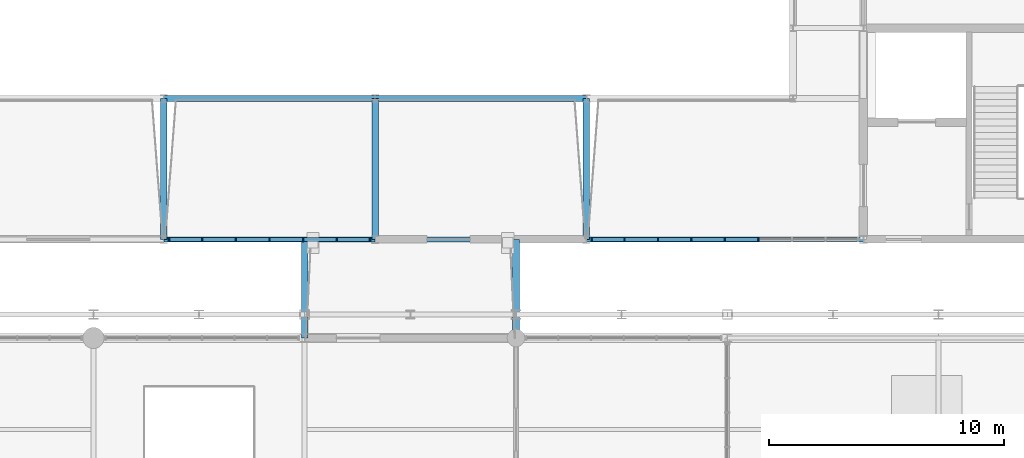
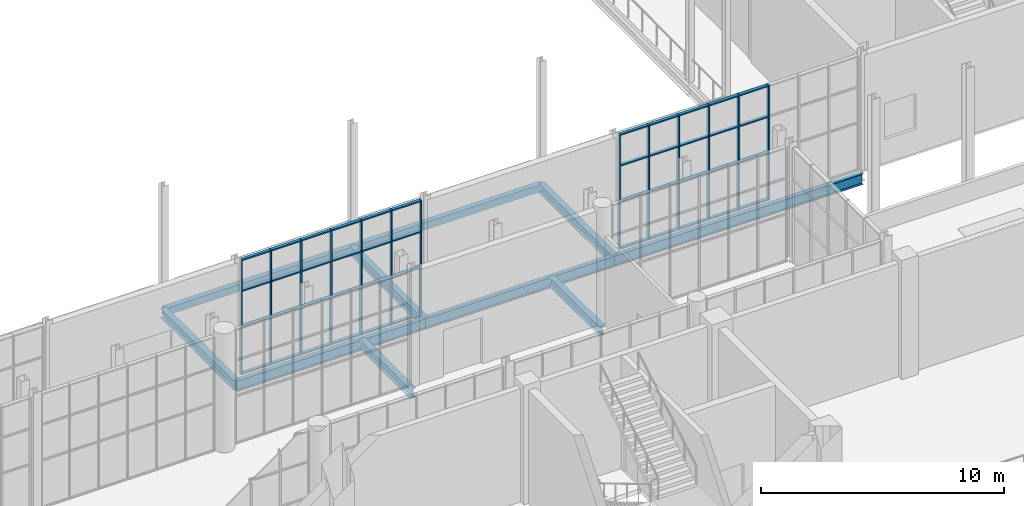
# One storey, part 73 of 159: 57 members, 10 beams, 2 elements without a shape of their own.
"""IFC4 building model written with IfcOpenShell, lengths in metres."""

from ifc_helpers import new_model, si_unit, direction, frame, origin, origin_2d, place, context, subcontext, project, spatial, rectangle, hollow_rectangle, i_section, extrude, material, layer, layer_set, material_profile, profile_set, type_object, element, aggregate, save


model = new_model("IFC4")

# Units and contexts
model_context = context("Model", 3, precision=1e-05, world=origin(), true_north=direction((0.0, 1.0)))
body_context = subcontext(model_context, "Body", "Model", "MODEL_VIEW")
ifc_project = project(units=[si_unit("LENGTHUNIT", "METRE"), si_unit("AREAUNIT", "SQUARE_METRE"), si_unit("VOLUMEUNIT", "CUBIC_METRE"), si_unit("PLANEANGLEUNIT", "RADIAN"), si_unit("MASSUNIT", "GRAM", prefix="KILO")], contexts=[model_context])

# Site, building, storey
site_placement = place(None, origin())
site = spatial("IfcSite", under=ifc_project, at=site_placement, CompositionType="ELEMENT")
building_placement = place(site_placement, origin())
building = spatial("IfcBuilding", under=site, at=building_placement, Name="Cazmaro Siding Exhibition Halls", CompositionType="ELEMENT")
storey_placement = place(building_placement, frame((0.0, 0.0, 6.0)))
storey = spatial("IfcBuildingStorey", under=building, at=storey_placement, Name="L01", CompositionType="ELEMENT", Elevation=6.0)

# Beams
ifc_material_1 = material(Name="Steel ASTM A992 Grade 50", Category="steel")
ifc_material_profile_1 = material_profile(ifc_material_1, i_section(OverallWidth=0.2099609375, OverallDepth=0.535888671875, WebThickness=0.010986328125, FlangeThickness=0.01708984375, at=origin_2d()), Name="W21X68")
ifc_profile_set_1 = profile_set([ifc_material_profile_1], Name="Steel ASTM A992 Grade 50")
beam_type_1 = type_object("IfcBeamType", Name="B-02", PredefinedType="BEAM", material=ifc_profile_set_1)
for number, where, z_axis, x_axis, name in (
    (1, (129.0, 67.199951171875, -0.488037109375), (1.0, 0.0, 0.0), (0.0, 1.0, 0.0), "Beam B-02 BM-0330"),
    (2, (138.0, 67.199951171875, -0.488037109375), (1.0, 0.0, 0.0), (0.0, 1.0, 0.0), "Beam B-02 BM-0332"),
):
    element("IfcBeam", number, at=place(storey_placement, frame(where, z_axis=z_axis, x_axis=x_axis)), inside=storey, type_object=beam_type_1, Name=name, PredefinedType="BEAM", context=body_context, shape_type="SweptSolid", body=[
        extrude(i_section(OverallWidth=0.2099609375, OverallDepth=0.535888671875, WebThickness=0.010986328125, FlangeThickness=0.01708984375, at=origin_2d()), origin(), (0.0, 0.0, 1.0), 9.0),
    ])
beam_placement = place(storey_placement, frame((147.0, 67.199951171875, -0.488037109375), z_axis=(1.0, 0.0, 0.0), x_axis=(0.0, 1.0, 0.0)))
element("IfcBeam", 3, at=beam_placement, inside=storey, type_object=beam_type_1, Name="Beam B-02 BM-0334", PredefinedType="BEAM", context=body_context, shape_type="SweptSolid", body=[
    extrude(i_section(OverallWidth=0.2099609375, OverallDepth=0.535888671875, WebThickness=0.010986328125, FlangeThickness=0.01708984375, at=origin_2d()), origin(), (0.0, 0.0, 1.0), 11.800048828125),
])
ifc_material_2 = material(Name="Steel ASTM A992 Grade 50", Category="steel")
ifc_material_profile_2 = material_profile(ifc_material_2, i_section(OverallWidth=0.279052734375, OverallDepth=0.4619140625, WebThickness=0.010986328125, FlangeThickness=0.01708984375, at=origin_2d()), Name="W18X76")
ifc_profile_set_2 = profile_set([ifc_material_profile_2], Name="Steel ASTM A992 Grade 50")
beam_type_2 = type_object("IfcBeamType", Name="B-03", PredefinedType="BEAM", material=ifc_profile_set_2)
for number, where, z_axis, x_axis, name in (
    (4, (129.0, 67.199951171875, -0.450927734375), (0.0, 1.0, 0.0), (-1.0, 0.0, 0.0), "Beam B-03 BM-0344"),
    (5, (138.0, 67.199951171875, -0.450927734375), (0.0, 1.0, 0.0), (-1.0, 0.0, 0.0), "Beam B-03 BM-0345"),
    (6, (147.0, 67.199951171875, -0.450927734375), (0.0, 1.0, 0.0), (-1.0, 0.0, 0.0), "Beam B-03 BM-0346"),
):
    element("IfcBeam", number, at=place(storey_placement, frame(where, z_axis=z_axis, x_axis=x_axis)), inside=storey, type_object=beam_type_2, Name=name, PredefinedType="BEAM", context=body_context, shape_type="SweptSolid", body=[
        extrude(i_section(OverallWidth=0.279052734375, OverallDepth=0.4619140625, WebThickness=0.010986328125, FlangeThickness=0.01708984375, at=origin_2d()), origin(), (0.0, 0.0, 1.0), 6.0),
    ])
for number, where, z_axis, x_axis, name in (
    (7, (135.0, 63.0, -0.450927734375), (0.0, 1.0, 0.0), (-1.0, 0.0, 0.0), "Beam B-03 BM-2522"),
    (8, (144.0, 63.0, -0.450927734375), (0.0, 1.0, 0.0), (-1.0, 0.0, 0.0), "Beam B-03 BM-2523"),
):
    element("IfcBeam", number, at=place(storey_placement, frame(where, z_axis=z_axis, x_axis=x_axis)), inside=storey, type_object=beam_type_2, Name=name, PredefinedType="BEAM", context=body_context, shape_type="SweptSolid", body=[
        extrude(i_section(OverallWidth=0.279052734375, OverallDepth=0.4619140625, WebThickness=0.010986328125, FlangeThickness=0.01708984375, at=origin_2d()), origin(), (0.0, 0.0, 1.0), 4.199951171875),
    ])
ifc_material_3 = material(Name="Steel ASTM A500 Grade C", Category="steel")
ifc_material_profile_3 = material_profile(ifc_material_3, hollow_rectangle(XDim=0.25390625, YDim=0.35595703125, WallThickness=0.014892578125, at=origin_2d()), Name="HSS14X10X5/8")
ifc_profile_set_3 = profile_set([ifc_material_profile_3], Name="Steel ASTM A500 Grade C")
beam_type_3 = type_object("IfcBeamType", Name="B-06", PredefinedType="BEAM", material=ifc_profile_set_3)
for number, where, z_axis, x_axis, name in (
    (9, (129.0, 73.199951171875, -0.39794921875), (1.0, 0.0, 0.0), (0.0, 1.0, 0.0), "Beam B-06 BM-0331"),
    (10, (138.0, 73.199951171875, -0.39794921875), (1.0, 0.0, 0.0), (0.0, 1.0, 0.0), "Beam B-06 BM-0333"),
):
    element("IfcBeam", number, at=place(storey_placement, frame(where, z_axis=z_axis, x_axis=x_axis)), inside=storey, type_object=beam_type_3, Name=name, PredefinedType="BEAM", context=body_context, shape_type="SweptSolid", body=[
        extrude(hollow_rectangle(XDim=0.25390625, YDim=0.35595703125, WallThickness=0.014892578125, at=origin_2d()), origin(), (0.0, 0.0, 1.0), 9.0),
    ])

# Curtain wall, members
ifc_material_4 = material(Name="Anodized Bronze Aluminum and Solar-Control Low-E Glazing", Category="aluminium")
ifc_layer = layer(ifc_material_4, 0.179931640625)
ifc_layer_set = layer_set([ifc_layer], Name="Anodized Bronze Aluminum and Solar-Control Low-E Glazing")
curtain_wall_type = type_object("IfcCurtainWallType", Name="CWS-01", PredefinedType="USERDEFINED", material=ifc_layer_set)
curtain_wall_1_placement = place(storey_placement, origin())
curtain_wall_1 = element("IfcCurtainWall", 11, at=curtain_wall_1_placement, inside=storey, type_object=curtain_wall_type, Name="Glazed Curtain Wall CWS-01 CW-036", ObjectType="GLAZED CURTAIN WALL", PredefinedType="USERDEFINED")
ifc_material_5 = material(Name="Anodized Bronze Extruded Aluminum", Category="aluminium")
ifc_material_profile_4 = material_profile(ifc_material_5, rectangle(XDim=0.179931640625, YDim=0.06005859375, at=origin_2d()), Name="CWM-01")
ifc_profile_set_4 = profile_set([ifc_material_profile_4], Name="Anodized Bronze Extruded Aluminum")
member_type_1 = type_object("IfcMemberType", Name="CWM-01", PredefinedType="MULLION", material=ifc_profile_set_4)
member_1_placement = place(storey_placement, frame((129.22705078125, 67.199951171875, 0.0), z_axis=(0.0, 0.0, 1.0), x_axis=(0.0, 1.0, 0.0)))
member_1 = element("IfcMember", 12, at=member_1_placement, type_object=member_type_1, Name="CWS-01 mullion 1", PredefinedType="MULLION", context=body_context, shape_type="SweptSolid", body=[
    extrude(rectangle(XDim=0.179931640625, YDim=0.06005859375, at=origin_2d()), origin(), (0.0, 0.0, 1.0), 5.780029296875),
])
member_2_placement = place(storey_placement, frame((130.63134765625, 67.199951171875, 0.0), z_axis=(0.0, 0.0, 1.0), x_axis=(0.0, 1.0, 0.0)))
member_2 = element("IfcMember", 13, at=member_2_placement, type_object=member_type_1, Name="CWS-01 mullion 2", PredefinedType="MULLION", context=body_context, shape_type="SweptSolid", body=[
    extrude(rectangle(XDim=0.179931640625, YDim=0.06005859375, at=origin_2d()), origin(), (0.0, 0.0, 1.0), 5.780029296875),
])
member_3_placement = place(storey_placement, frame((132.065673828125, 67.199951171875, 0.0), z_axis=(0.0, 0.0, 1.0), x_axis=(0.0, 1.0, 0.0)))
member_3 = element("IfcMember", 14, at=member_3_placement, type_object=member_type_1, Name="CWS-01 mullion 3", PredefinedType="MULLION", context=body_context, shape_type="SweptSolid", body=[
    extrude(rectangle(XDim=0.179931640625, YDim=0.06005859375, at=origin_2d()), origin(), (0.0, 0.0, 1.0), 5.780029296875),
])
member_4_placement = place(storey_placement, frame((133.5, 67.199951171875, 0.0), z_axis=(0.0, 0.0, 1.0), x_axis=(0.0, 1.0, 0.0)))
member_4 = element("IfcMember", 15, at=member_4_placement, type_object=member_type_1, Name="CWS-01 mullion 4", PredefinedType="MULLION", context=body_context, shape_type="SweptSolid", body=[
    extrude(rectangle(XDim=0.179931640625, YDim=0.06005859375, at=origin_2d()), origin(), (0.0, 0.0, 1.0), 5.780029296875),
])
member_5_placement = place(storey_placement, frame((134.934326171875, 67.199951171875, 0.0), z_axis=(0.0, 0.0, 1.0), x_axis=(0.0, 1.0, 0.0)))
member_5 = element("IfcMember", 16, at=member_5_placement, type_object=member_type_1, Name="CWS-01 mullion 5", PredefinedType="MULLION", context=body_context, shape_type="SweptSolid", body=[
    extrude(rectangle(XDim=0.179931640625, YDim=0.06005859375, at=origin_2d()), origin(), (0.0, 0.0, 1.0), 5.780029296875),
])
member_6_placement = place(storey_placement, frame((136.36865234375, 67.199951171875, 0.0), z_axis=(0.0, 0.0, 1.0), x_axis=(0.0, 1.0, 0.0)))
member_6 = element("IfcMember", 17, at=member_6_placement, type_object=member_type_1, Name="CWS-01 mullion 6", PredefinedType="MULLION", context=body_context, shape_type="SweptSolid", body=[
    extrude(rectangle(XDim=0.179931640625, YDim=0.06005859375, at=origin_2d()), origin(), (0.0, 0.0, 1.0), 5.780029296875),
])
member_7_placement = place(storey_placement, frame((137.77294921875, 67.199951171875, 0.0), z_axis=(0.0, 0.0, 1.0), x_axis=(0.0, 1.0, 0.0)))
member_7 = element("IfcMember", 18, at=member_7_placement, type_object=member_type_1, Name="CWS-01 mullion 7", PredefinedType="MULLION", context=body_context, shape_type="SweptSolid", body=[
    extrude(rectangle(XDim=0.179931640625, YDim=0.06005859375, at=origin_2d()), origin(), (0.0, 0.0, 1.0), 5.780029296875),
])

curtain_wall_2_placement = place(storey_placement, origin())
curtain_wall_2 = element("IfcCurtainWall", 19, at=curtain_wall_2_placement, inside=storey, type_object=curtain_wall_type, Name="Glazed Curtain Wall CWS-01 CW-044", ObjectType="GLAZED CURTAIN WALL", PredefinedType="USERDEFINED")
member_8_placement = place(storey_placement, frame((147.22705078125, 67.199951171875, 0.0), z_axis=(0.0, 0.0, 1.0), x_axis=(0.0, 1.0, 0.0)))
member_8 = element("IfcMember", 20, at=member_8_placement, type_object=member_type_1, Name="CWS-01 mullion 1", PredefinedType="MULLION", context=body_context, shape_type="SweptSolid", body=[
    extrude(rectangle(XDim=0.179931640625, YDim=0.06005859375, at=origin_2d()), origin(), (0.0, 0.0, 1.0), 5.780029296875),
])
member_9_placement = place(storey_placement, frame((148.622802734375, 67.199951171875, 0.0), z_axis=(0.0, 0.0, 1.0), x_axis=(0.0, 1.0, 0.0)))
member_9 = element("IfcMember", 21, at=member_9_placement, type_object=member_type_1, Name="CWS-01 mullion 2", PredefinedType="MULLION", context=body_context, shape_type="SweptSolid", body=[
    extrude(rectangle(XDim=0.179931640625, YDim=0.06005859375, at=origin_2d()), origin(), (0.0, 0.0, 1.0), 5.780029296875),
])
member_10_placement = place(storey_placement, frame((150.048583984375, 67.199951171875, 0.0), z_axis=(0.0, 0.0, 1.0), x_axis=(0.0, 1.0, 0.0)))
member_10 = element("IfcMember", 22, at=member_10_placement, type_object=member_type_1, Name="CWS-01 mullion 3", PredefinedType="MULLION", context=body_context, shape_type="SweptSolid", body=[
    extrude(rectangle(XDim=0.179931640625, YDim=0.06005859375, at=origin_2d()), origin(), (0.0, 0.0, 1.0), 5.780029296875),
])
member_11_placement = place(storey_placement, frame((151.474365234375, 67.199951171875, 0.0), z_axis=(0.0, 0.0, 1.0), x_axis=(0.0, 1.0, 0.0)))
member_11 = element("IfcMember", 23, at=member_11_placement, type_object=member_type_1, Name="CWS-01 mullion 4", PredefinedType="MULLION", context=body_context, shape_type="SweptSolid", body=[
    extrude(rectangle(XDim=0.179931640625, YDim=0.06005859375, at=origin_2d()), origin(), (0.0, 0.0, 1.0), 5.780029296875),
])
member_12_placement = place(storey_placement, frame((152.89990234375, 67.199951171875, 0.0), z_axis=(0.0, 0.0, 1.0), x_axis=(0.0, 1.0, 0.0)))
member_12 = element("IfcMember", 24, at=member_12_placement, type_object=member_type_1, Name="CWS-01 mullion 5", PredefinedType="MULLION", context=body_context, shape_type="SweptSolid", body=[
    extrude(rectangle(XDim=0.179931640625, YDim=0.06005859375, at=origin_2d()), origin(), (0.0, 0.0, 1.0), 5.780029296875),
])
member_13_placement = place(storey_placement, frame((154.32568359375, 67.199951171875, 0.0), z_axis=(0.0, 0.0, 1.0), x_axis=(0.0, 1.0, 0.0)))
member_13 = element("IfcMember", 25, at=member_13_placement, type_object=member_type_1, Name="CWS-01 mullion 6", PredefinedType="MULLION", context=body_context, shape_type="SweptSolid", body=[
    extrude(rectangle(XDim=0.179931640625, YDim=0.06005859375, at=origin_2d()), origin(), (0.0, 0.0, 1.0), 5.780029296875),
])

# Member
ifc_material_6 = material(Name="Anodized Bronze Extruded Aluminum", Category="aluminium")
ifc_material_profile_5 = material_profile(ifc_material_6, rectangle(XDim=0.159912109375, YDim=0.06005859375, at=origin_2d()), Name="CWT-01")
ifc_profile_set_5 = profile_set([ifc_material_profile_5], Name="Anodized Bronze Extruded Aluminum")
member_type_2 = type_object("IfcMemberType", Name="CWT-01", PredefinedType="MULLION", material=ifc_profile_set_5)
member_14_placement = place(storey_placement, frame((129.257080078125, 67.199951171875, 0.030029296875), z_axis=(1.0, 0.0, 0.0), x_axis=(0.0, 1.0, 0.0)))
member_14 = element("IfcMember", 26, at=member_14_placement, type_object=member_type_2, Name="CWS-01 transom 1.1", ObjectType="TRANSOM", PredefinedType="USERDEFINED", context=body_context, shape_type="SweptSolid", body=[
    extrude(rectangle(XDim=0.159912109375, YDim=0.06005859375, at=origin_2d()), origin(), (0.0, 0.0, 1.0), 1.34423828125),
])

member_15_placement = place(storey_placement, frame((129.257080078125, 67.199951171875, 2.39990234375), z_axis=(1.0, 0.0, 0.0), x_axis=(0.0, 1.0, 0.0)))
member_15 = element("IfcMember", 27, at=member_15_placement, type_object=member_type_2, Name="CWS-01 transom 1.2", ObjectType="TRANSOM", PredefinedType="USERDEFINED", context=body_context, shape_type="SweptSolid", body=[
    extrude(rectangle(XDim=0.159912109375, YDim=0.06005859375, at=origin_2d()), origin(), (0.0, 0.0, 1.0), 1.34423828125),
])

member_16_placement = place(storey_placement, frame((129.257080078125, 67.199951171875, 4.199951171875), z_axis=(1.0, 0.0, 0.0), x_axis=(0.0, 1.0, 0.0)))
member_16 = element("IfcMember", 28, at=member_16_placement, type_object=member_type_2, Name="CWS-01 transom 1.3", ObjectType="TRANSOM", PredefinedType="USERDEFINED", context=body_context, shape_type="SweptSolid", body=[
    extrude(rectangle(XDim=0.159912109375, YDim=0.06005859375, at=origin_2d()), origin(), (0.0, 0.0, 1.0), 1.34423828125),
])

member_17_placement = place(storey_placement, frame((129.257080078125, 67.199951171875, 5.75), z_axis=(1.0, 0.0, 0.0), x_axis=(0.0, 1.0, 0.0)))
member_17 = element("IfcMember", 29, at=member_17_placement, type_object=member_type_2, Name="CWS-01 transom 1.4", ObjectType="TRANSOM", PredefinedType="USERDEFINED", context=body_context, shape_type="SweptSolid", body=[
    extrude(rectangle(XDim=0.159912109375, YDim=0.06005859375, at=origin_2d()), origin(), (0.0, 0.0, 1.0), 1.34423828125),
])

member_18_placement = place(storey_placement, frame((130.661376953125, 67.199951171875, 0.030029296875), z_axis=(1.0, 0.0, 0.0), x_axis=(0.0, 1.0, 0.0)))
member_18 = element("IfcMember", 30, at=member_18_placement, type_object=member_type_2, Name="CWS-01 transom 2.1", ObjectType="TRANSOM", PredefinedType="USERDEFINED", context=body_context, shape_type="SweptSolid", body=[
    extrude(rectangle(XDim=0.159912109375, YDim=0.06005859375, at=origin_2d()), origin(), (0.0, 0.0, 1.0), 1.374267578125),
])

member_19_placement = place(storey_placement, frame((130.661376953125, 67.199951171875, 2.39990234375), z_axis=(1.0, 0.0, 0.0), x_axis=(0.0, 1.0, 0.0)))
member_19 = element("IfcMember", 31, at=member_19_placement, type_object=member_type_2, Name="CWS-01 transom 2.2", ObjectType="TRANSOM", PredefinedType="USERDEFINED", context=body_context, shape_type="SweptSolid", body=[
    extrude(rectangle(XDim=0.159912109375, YDim=0.06005859375, at=origin_2d()), origin(), (0.0, 0.0, 1.0), 1.374267578125),
])

member_20_placement = place(storey_placement, frame((130.661376953125, 67.199951171875, 4.199951171875), z_axis=(1.0, 0.0, 0.0), x_axis=(0.0, 1.0, 0.0)))
member_20 = element("IfcMember", 32, at=member_20_placement, type_object=member_type_2, Name="CWS-01 transom 2.3", ObjectType="TRANSOM", PredefinedType="USERDEFINED", context=body_context, shape_type="SweptSolid", body=[
    extrude(rectangle(XDim=0.159912109375, YDim=0.06005859375, at=origin_2d()), origin(), (0.0, 0.0, 1.0), 1.374267578125),
])

member_21_placement = place(storey_placement, frame((130.661376953125, 67.199951171875, 5.75), z_axis=(1.0, 0.0, 0.0), x_axis=(0.0, 1.0, 0.0)))
member_21 = element("IfcMember", 33, at=member_21_placement, type_object=member_type_2, Name="CWS-01 transom 2.4", ObjectType="TRANSOM", PredefinedType="USERDEFINED", context=body_context, shape_type="SweptSolid", body=[
    extrude(rectangle(XDim=0.159912109375, YDim=0.06005859375, at=origin_2d()), origin(), (0.0, 0.0, 1.0), 1.374267578125),
])

member_22_placement = place(storey_placement, frame((132.095703125, 67.199951171875, 0.030029296875), z_axis=(1.0, 0.0, 0.0), x_axis=(0.0, 1.0, 0.0)))
member_22 = element("IfcMember", 34, at=member_22_placement, type_object=member_type_2, Name="CWS-01 transom 3.1", ObjectType="TRANSOM", PredefinedType="USERDEFINED", context=body_context, shape_type="SweptSolid", body=[
    extrude(rectangle(XDim=0.159912109375, YDim=0.06005859375, at=origin_2d()), origin(), (0.0, 0.0, 1.0), 1.374267578125),
])

member_23_placement = place(storey_placement, frame((132.095703125, 67.199951171875, 2.39990234375), z_axis=(1.0, 0.0, 0.0), x_axis=(0.0, 1.0, 0.0)))
member_23 = element("IfcMember", 35, at=member_23_placement, type_object=member_type_2, Name="CWS-01 transom 3.2", ObjectType="TRANSOM", PredefinedType="USERDEFINED", context=body_context, shape_type="SweptSolid", body=[
    extrude(rectangle(XDim=0.159912109375, YDim=0.06005859375, at=origin_2d()), origin(), (0.0, 0.0, 1.0), 1.374267578125),
])

member_24_placement = place(storey_placement, frame((132.095703125, 67.199951171875, 4.199951171875), z_axis=(1.0, 0.0, 0.0), x_axis=(0.0, 1.0, 0.0)))
member_24 = element("IfcMember", 36, at=member_24_placement, type_object=member_type_2, Name="CWS-01 transom 3.3", ObjectType="TRANSOM", PredefinedType="USERDEFINED", context=body_context, shape_type="SweptSolid", body=[
    extrude(rectangle(XDim=0.159912109375, YDim=0.06005859375, at=origin_2d()), origin(), (0.0, 0.0, 1.0), 1.374267578125),
])

member_25_placement = place(storey_placement, frame((132.095703125, 67.199951171875, 5.75), z_axis=(1.0, 0.0, 0.0), x_axis=(0.0, 1.0, 0.0)))
member_25 = element("IfcMember", 37, at=member_25_placement, type_object=member_type_2, Name="CWS-01 transom 3.4", ObjectType="TRANSOM", PredefinedType="USERDEFINED", context=body_context, shape_type="SweptSolid", body=[
    extrude(rectangle(XDim=0.159912109375, YDim=0.06005859375, at=origin_2d()), origin(), (0.0, 0.0, 1.0), 1.374267578125),
])

member_26_placement = place(storey_placement, frame((133.530029296875, 67.199951171875, 0.030029296875), z_axis=(1.0, 0.0, 0.0), x_axis=(0.0, 1.0, 0.0)))
member_26 = element("IfcMember", 38, at=member_26_placement, type_object=member_type_2, Name="CWS-01 transom 4.1", ObjectType="TRANSOM", PredefinedType="USERDEFINED", context=body_context, shape_type="SweptSolid", body=[
    extrude(rectangle(XDim=0.159912109375, YDim=0.06005859375, at=origin_2d()), origin(), (0.0, 0.0, 1.0), 1.374267578125),
])

member_27_placement = place(storey_placement, frame((133.530029296875, 67.199951171875, 2.39990234375), z_axis=(1.0, 0.0, 0.0), x_axis=(0.0, 1.0, 0.0)))
member_27 = element("IfcMember", 39, at=member_27_placement, type_object=member_type_2, Name="CWS-01 transom 4.2", ObjectType="TRANSOM", PredefinedType="USERDEFINED", context=body_context, shape_type="SweptSolid", body=[
    extrude(rectangle(XDim=0.159912109375, YDim=0.06005859375, at=origin_2d()), origin(), (0.0, 0.0, 1.0), 1.374267578125),
])

member_28_placement = place(storey_placement, frame((133.530029296875, 67.199951171875, 4.199951171875), z_axis=(1.0, 0.0, 0.0), x_axis=(0.0, 1.0, 0.0)))
member_28 = element("IfcMember", 40, at=member_28_placement, type_object=member_type_2, Name="CWS-01 transom 4.3", ObjectType="TRANSOM", PredefinedType="USERDEFINED", context=body_context, shape_type="SweptSolid", body=[
    extrude(rectangle(XDim=0.159912109375, YDim=0.06005859375, at=origin_2d()), origin(), (0.0, 0.0, 1.0), 1.374267578125),
])

member_29_placement = place(storey_placement, frame((133.530029296875, 67.199951171875, 5.75), z_axis=(1.0, 0.0, 0.0), x_axis=(0.0, 1.0, 0.0)))
member_29 = element("IfcMember", 41, at=member_29_placement, type_object=member_type_2, Name="CWS-01 transom 4.4", ObjectType="TRANSOM", PredefinedType="USERDEFINED", context=body_context, shape_type="SweptSolid", body=[
    extrude(rectangle(XDim=0.159912109375, YDim=0.06005859375, at=origin_2d()), origin(), (0.0, 0.0, 1.0), 1.374267578125),
])

member_30_placement = place(storey_placement, frame((134.96435546875, 67.199951171875, 0.030029296875), z_axis=(1.0, 0.0, 0.0), x_axis=(0.0, 1.0, 0.0)))
member_30 = element("IfcMember", 42, at=member_30_placement, type_object=member_type_2, Name="CWS-01 transom 5.1", ObjectType="TRANSOM", PredefinedType="USERDEFINED", context=body_context, shape_type="SweptSolid", body=[
    extrude(rectangle(XDim=0.159912109375, YDim=0.06005859375, at=origin_2d()), origin(), (0.0, 0.0, 1.0), 1.374267578125),
])

member_31_placement = place(storey_placement, frame((134.96435546875, 67.199951171875, 2.39990234375), z_axis=(1.0, 0.0, 0.0), x_axis=(0.0, 1.0, 0.0)))
member_31 = element("IfcMember", 43, at=member_31_placement, type_object=member_type_2, Name="CWS-01 transom 5.2", ObjectType="TRANSOM", PredefinedType="USERDEFINED", context=body_context, shape_type="SweptSolid", body=[
    extrude(rectangle(XDim=0.159912109375, YDim=0.06005859375, at=origin_2d()), origin(), (0.0, 0.0, 1.0), 1.374267578125),
])

member_32_placement = place(storey_placement, frame((134.96435546875, 67.199951171875, 4.199951171875), z_axis=(1.0, 0.0, 0.0), x_axis=(0.0, 1.0, 0.0)))
member_32 = element("IfcMember", 44, at=member_32_placement, type_object=member_type_2, Name="CWS-01 transom 5.3", ObjectType="TRANSOM", PredefinedType="USERDEFINED", context=body_context, shape_type="SweptSolid", body=[
    extrude(rectangle(XDim=0.159912109375, YDim=0.06005859375, at=origin_2d()), origin(), (0.0, 0.0, 1.0), 1.374267578125),
])

member_33_placement = place(storey_placement, frame((134.96435546875, 67.199951171875, 5.75), z_axis=(1.0, 0.0, 0.0), x_axis=(0.0, 1.0, 0.0)))
member_33 = element("IfcMember", 45, at=member_33_placement, type_object=member_type_2, Name="CWS-01 transom 5.4", ObjectType="TRANSOM", PredefinedType="USERDEFINED", context=body_context, shape_type="SweptSolid", body=[
    extrude(rectangle(XDim=0.159912109375, YDim=0.06005859375, at=origin_2d()), origin(), (0.0, 0.0, 1.0), 1.374267578125),
])

member_34_placement = place(storey_placement, frame((136.398681640625, 67.199951171875, 0.030029296875), z_axis=(1.0, 0.0, 0.0), x_axis=(0.0, 1.0, 0.0)))
member_34 = element("IfcMember", 46, at=member_34_placement, type_object=member_type_2, Name="CWS-01 transom 6.1", ObjectType="TRANSOM", PredefinedType="USERDEFINED", context=body_context, shape_type="SweptSolid", body=[
    extrude(rectangle(XDim=0.159912109375, YDim=0.06005859375, at=origin_2d()), origin(), (0.0, 0.0, 1.0), 1.34423828125),
])

member_35_placement = place(storey_placement, frame((136.398681640625, 67.199951171875, 2.39990234375), z_axis=(1.0, 0.0, 0.0), x_axis=(0.0, 1.0, 0.0)))
member_35 = element("IfcMember", 47, at=member_35_placement, type_object=member_type_2, Name="CWS-01 transom 6.2", ObjectType="TRANSOM", PredefinedType="USERDEFINED", context=body_context, shape_type="SweptSolid", body=[
    extrude(rectangle(XDim=0.159912109375, YDim=0.06005859375, at=origin_2d()), origin(), (0.0, 0.0, 1.0), 1.34423828125),
])

member_36_placement = place(storey_placement, frame((136.398681640625, 67.199951171875, 4.199951171875), z_axis=(1.0, 0.0, 0.0), x_axis=(0.0, 1.0, 0.0)))
member_36 = element("IfcMember", 48, at=member_36_placement, type_object=member_type_2, Name="CWS-01 transom 6.3", ObjectType="TRANSOM", PredefinedType="USERDEFINED", context=body_context, shape_type="SweptSolid", body=[
    extrude(rectangle(XDim=0.159912109375, YDim=0.06005859375, at=origin_2d()), origin(), (0.0, 0.0, 1.0), 1.34423828125),
])

member_37_placement = place(storey_placement, frame((136.398681640625, 67.199951171875, 5.75), z_axis=(1.0, 0.0, 0.0), x_axis=(0.0, 1.0, 0.0)))
member_37 = element("IfcMember", 49, at=member_37_placement, type_object=member_type_2, Name="CWS-01 transom 6.4", ObjectType="TRANSOM", PredefinedType="USERDEFINED", context=body_context, shape_type="SweptSolid", body=[
    extrude(rectangle(XDim=0.159912109375, YDim=0.06005859375, at=origin_2d()), origin(), (0.0, 0.0, 1.0), 1.34423828125),
])

aggregate(curtain_wall_1, [member_1, member_2, member_3, member_4, member_5, member_6, member_7, member_14, member_15, member_16, member_17, member_18, member_19, member_20, member_21, member_22, member_23, member_24, member_25, member_26, member_27, member_28, member_29, member_30, member_31, member_32, member_33, member_34, member_35, member_36, member_37])

member_38_placement = place(storey_placement, frame((147.257080078125, 67.199951171875, 0.030029296875), z_axis=(1.0, 0.0, 0.0), x_axis=(0.0, 1.0, 0.0)))
member_38 = element("IfcMember", 50, at=member_38_placement, type_object=member_type_2, Name="CWS-01 transom 1.1", ObjectType="TRANSOM", PredefinedType="USERDEFINED", context=body_context, shape_type="SweptSolid", body=[
    extrude(rectangle(XDim=0.159912109375, YDim=0.06005859375, at=origin_2d()), origin(), (0.0, 0.0, 1.0), 1.335693359375),
])

member_39_placement = place(storey_placement, frame((147.257080078125, 67.199951171875, 2.39990234375), z_axis=(1.0, 0.0, 0.0), x_axis=(0.0, 1.0, 0.0)))
member_39 = element("IfcMember", 51, at=member_39_placement, type_object=member_type_2, Name="CWS-01 transom 1.2", ObjectType="TRANSOM", PredefinedType="USERDEFINED", context=body_context, shape_type="SweptSolid", body=[
    extrude(rectangle(XDim=0.159912109375, YDim=0.06005859375, at=origin_2d()), origin(), (0.0, 0.0, 1.0), 1.335693359375),
])

member_40_placement = place(storey_placement, frame((147.257080078125, 67.199951171875, 4.199951171875), z_axis=(1.0, 0.0, 0.0), x_axis=(0.0, 1.0, 0.0)))
member_40 = element("IfcMember", 52, at=member_40_placement, type_object=member_type_2, Name="CWS-01 transom 1.3", ObjectType="TRANSOM", PredefinedType="USERDEFINED", context=body_context, shape_type="SweptSolid", body=[
    extrude(rectangle(XDim=0.159912109375, YDim=0.06005859375, at=origin_2d()), origin(), (0.0, 0.0, 1.0), 1.335693359375),
])

member_41_placement = place(storey_placement, frame((147.257080078125, 67.199951171875, 5.75), z_axis=(1.0, 0.0, 0.0), x_axis=(0.0, 1.0, 0.0)))
member_41 = element("IfcMember", 53, at=member_41_placement, type_object=member_type_2, Name="CWS-01 transom 1.4", ObjectType="TRANSOM", PredefinedType="USERDEFINED", context=body_context, shape_type="SweptSolid", body=[
    extrude(rectangle(XDim=0.159912109375, YDim=0.06005859375, at=origin_2d()), origin(), (0.0, 0.0, 1.0), 1.335693359375),
])

member_42_placement = place(storey_placement, frame((148.65283203125, 67.199951171875, 0.030029296875), z_axis=(1.0, 0.0, 0.0), x_axis=(0.0, 1.0, 0.0)))
member_42 = element("IfcMember", 54, at=member_42_placement, type_object=member_type_2, Name="CWS-01 transom 2.1", ObjectType="TRANSOM", PredefinedType="USERDEFINED", context=body_context, shape_type="SweptSolid", body=[
    extrude(rectangle(XDim=0.159912109375, YDim=0.06005859375, at=origin_2d()), origin(), (0.0, 0.0, 1.0), 1.36572265625),
])

member_43_placement = place(storey_placement, frame((148.65283203125, 67.199951171875, 2.39990234375), z_axis=(1.0, 0.0, 0.0), x_axis=(0.0, 1.0, 0.0)))
member_43 = element("IfcMember", 55, at=member_43_placement, type_object=member_type_2, Name="CWS-01 transom 2.2", ObjectType="TRANSOM", PredefinedType="USERDEFINED", context=body_context, shape_type="SweptSolid", body=[
    extrude(rectangle(XDim=0.159912109375, YDim=0.06005859375, at=origin_2d()), origin(), (0.0, 0.0, 1.0), 1.36572265625),
])

member_44_placement = place(storey_placement, frame((148.65283203125, 67.199951171875, 4.199951171875), z_axis=(1.0, 0.0, 0.0), x_axis=(0.0, 1.0, 0.0)))
member_44 = element("IfcMember", 56, at=member_44_placement, type_object=member_type_2, Name="CWS-01 transom 2.3", ObjectType="TRANSOM", PredefinedType="USERDEFINED", context=body_context, shape_type="SweptSolid", body=[
    extrude(rectangle(XDim=0.159912109375, YDim=0.06005859375, at=origin_2d()), origin(), (0.0, 0.0, 1.0), 1.36572265625),
])

member_45_placement = place(storey_placement, frame((148.65283203125, 67.199951171875, 5.75), z_axis=(1.0, 0.0, 0.0), x_axis=(0.0, 1.0, 0.0)))
member_45 = element("IfcMember", 57, at=member_45_placement, type_object=member_type_2, Name="CWS-01 transom 2.4", ObjectType="TRANSOM", PredefinedType="USERDEFINED", context=body_context, shape_type="SweptSolid", body=[
    extrude(rectangle(XDim=0.159912109375, YDim=0.06005859375, at=origin_2d()), origin(), (0.0, 0.0, 1.0), 1.36572265625),
])

member_46_placement = place(storey_placement, frame((150.07861328125, 67.199951171875, 0.030029296875), z_axis=(1.0, 0.0, 0.0), x_axis=(0.0, 1.0, 0.0)))
member_46 = element("IfcMember", 58, at=member_46_placement, type_object=member_type_2, Name="CWS-01 transom 3.1", ObjectType="TRANSOM", PredefinedType="USERDEFINED", context=body_context, shape_type="SweptSolid", body=[
    extrude(rectangle(XDim=0.159912109375, YDim=0.06005859375, at=origin_2d()), origin(), (0.0, 0.0, 1.0), 1.36572265625),
])

member_47_placement = place(storey_placement, frame((150.07861328125, 67.199951171875, 2.39990234375), z_axis=(1.0, 0.0, 0.0), x_axis=(0.0, 1.0, 0.0)))
member_47 = element("IfcMember", 59, at=member_47_placement, type_object=member_type_2, Name="CWS-01 transom 3.2", ObjectType="TRANSOM", PredefinedType="USERDEFINED", context=body_context, shape_type="SweptSolid", body=[
    extrude(rectangle(XDim=0.159912109375, YDim=0.06005859375, at=origin_2d()), origin(), (0.0, 0.0, 1.0), 1.36572265625),
])

member_48_placement = place(storey_placement, frame((150.07861328125, 67.199951171875, 4.199951171875), z_axis=(1.0, 0.0, 0.0), x_axis=(0.0, 1.0, 0.0)))
member_48 = element("IfcMember", 60, at=member_48_placement, type_object=member_type_2, Name="CWS-01 transom 3.3", ObjectType="TRANSOM", PredefinedType="USERDEFINED", context=body_context, shape_type="SweptSolid", body=[
    extrude(rectangle(XDim=0.159912109375, YDim=0.06005859375, at=origin_2d()), origin(), (0.0, 0.0, 1.0), 1.36572265625),
])

member_49_placement = place(storey_placement, frame((150.07861328125, 67.199951171875, 5.75), z_axis=(1.0, 0.0, 0.0), x_axis=(0.0, 1.0, 0.0)))
member_49 = element("IfcMember", 61, at=member_49_placement, type_object=member_type_2, Name="CWS-01 transom 3.4", ObjectType="TRANSOM", PredefinedType="USERDEFINED", context=body_context, shape_type="SweptSolid", body=[
    extrude(rectangle(XDim=0.159912109375, YDim=0.06005859375, at=origin_2d()), origin(), (0.0, 0.0, 1.0), 1.36572265625),
])

member_50_placement = place(storey_placement, frame((151.504150390625, 67.199951171875, 0.030029296875), z_axis=(1.0, 0.0, 0.0), x_axis=(0.0, 1.0, 0.0)))
member_50 = element("IfcMember", 62, at=member_50_placement, type_object=member_type_2, Name="CWS-01 transom 4.1", ObjectType="TRANSOM", PredefinedType="USERDEFINED", context=body_context, shape_type="SweptSolid", body=[
    extrude(rectangle(XDim=0.159912109375, YDim=0.06005859375, at=origin_2d()), origin(), (0.0, 0.0, 1.0), 1.365966796875),
])

member_51_placement = place(storey_placement, frame((151.504150390625, 67.199951171875, 2.39990234375), z_axis=(1.0, 0.0, 0.0), x_axis=(0.0, 1.0, 0.0)))
member_51 = element("IfcMember", 63, at=member_51_placement, type_object=member_type_2, Name="CWS-01 transom 4.2", ObjectType="TRANSOM", PredefinedType="USERDEFINED", context=body_context, shape_type="SweptSolid", body=[
    extrude(rectangle(XDim=0.159912109375, YDim=0.06005859375, at=origin_2d()), origin(), (0.0, 0.0, 1.0), 1.365966796875),
])

member_52_placement = place(storey_placement, frame((151.504150390625, 67.199951171875, 4.199951171875), z_axis=(1.0, 0.0, 0.0), x_axis=(0.0, 1.0, 0.0)))
member_52 = element("IfcMember", 64, at=member_52_placement, type_object=member_type_2, Name="CWS-01 transom 4.3", ObjectType="TRANSOM", PredefinedType="USERDEFINED", context=body_context, shape_type="SweptSolid", body=[
    extrude(rectangle(XDim=0.159912109375, YDim=0.06005859375, at=origin_2d()), origin(), (0.0, 0.0, 1.0), 1.365966796875),
])

member_53_placement = place(storey_placement, frame((151.504150390625, 67.199951171875, 5.75), z_axis=(1.0, 0.0, 0.0), x_axis=(0.0, 1.0, 0.0)))
member_53 = element("IfcMember", 65, at=member_53_placement, type_object=member_type_2, Name="CWS-01 transom 4.4", ObjectType="TRANSOM", PredefinedType="USERDEFINED", context=body_context, shape_type="SweptSolid", body=[
    extrude(rectangle(XDim=0.159912109375, YDim=0.06005859375, at=origin_2d()), origin(), (0.0, 0.0, 1.0), 1.365966796875),
])

member_54_placement = place(storey_placement, frame((152.929931640625, 67.199951171875, 0.030029296875), z_axis=(1.0, 0.0, 0.0), x_axis=(0.0, 1.0, 0.0)))
member_54 = element("IfcMember", 66, at=member_54_placement, type_object=member_type_2, Name="CWS-01 transom 5.1", ObjectType="TRANSOM", PredefinedType="USERDEFINED", context=body_context, shape_type="SweptSolid", body=[
    extrude(rectangle(XDim=0.159912109375, YDim=0.06005859375, at=origin_2d()), origin(), (0.0, 0.0, 1.0), 1.36572265625),
])

member_55_placement = place(storey_placement, frame((152.929931640625, 67.199951171875, 2.39990234375), z_axis=(1.0, 0.0, 0.0), x_axis=(0.0, 1.0, 0.0)))
member_55 = element("IfcMember", 67, at=member_55_placement, type_object=member_type_2, Name="CWS-01 transom 5.2", ObjectType="TRANSOM", PredefinedType="USERDEFINED", context=body_context, shape_type="SweptSolid", body=[
    extrude(rectangle(XDim=0.159912109375, YDim=0.06005859375, at=origin_2d()), origin(), (0.0, 0.0, 1.0), 1.36572265625),
])

member_56_placement = place(storey_placement, frame((152.929931640625, 67.199951171875, 4.199951171875), z_axis=(1.0, 0.0, 0.0), x_axis=(0.0, 1.0, 0.0)))
member_56 = element("IfcMember", 68, at=member_56_placement, type_object=member_type_2, Name="CWS-01 transom 5.3", ObjectType="TRANSOM", PredefinedType="USERDEFINED", context=body_context, shape_type="SweptSolid", body=[
    extrude(rectangle(XDim=0.159912109375, YDim=0.06005859375, at=origin_2d()), origin(), (0.0, 0.0, 1.0), 1.36572265625),
])

member_57_placement = place(storey_placement, frame((152.929931640625, 67.199951171875, 5.75), z_axis=(1.0, 0.0, 0.0), x_axis=(0.0, 1.0, 0.0)))
member_57 = element("IfcMember", 69, at=member_57_placement, type_object=member_type_2, Name="CWS-01 transom 5.4", ObjectType="TRANSOM", PredefinedType="USERDEFINED", context=body_context, shape_type="SweptSolid", body=[
    extrude(rectangle(XDim=0.159912109375, YDim=0.06005859375, at=origin_2d()), origin(), (0.0, 0.0, 1.0), 1.36572265625),
])

aggregate(curtain_wall_2, [member_8, member_9, member_10, member_11, member_12, member_13, member_38, member_39, member_40, member_41, member_42, member_43, member_44, member_45, member_46, member_47, member_48, member_49, member_50, member_51, member_52, member_53, member_54, member_55, member_56, member_57])

save(model, "model.ifc")
